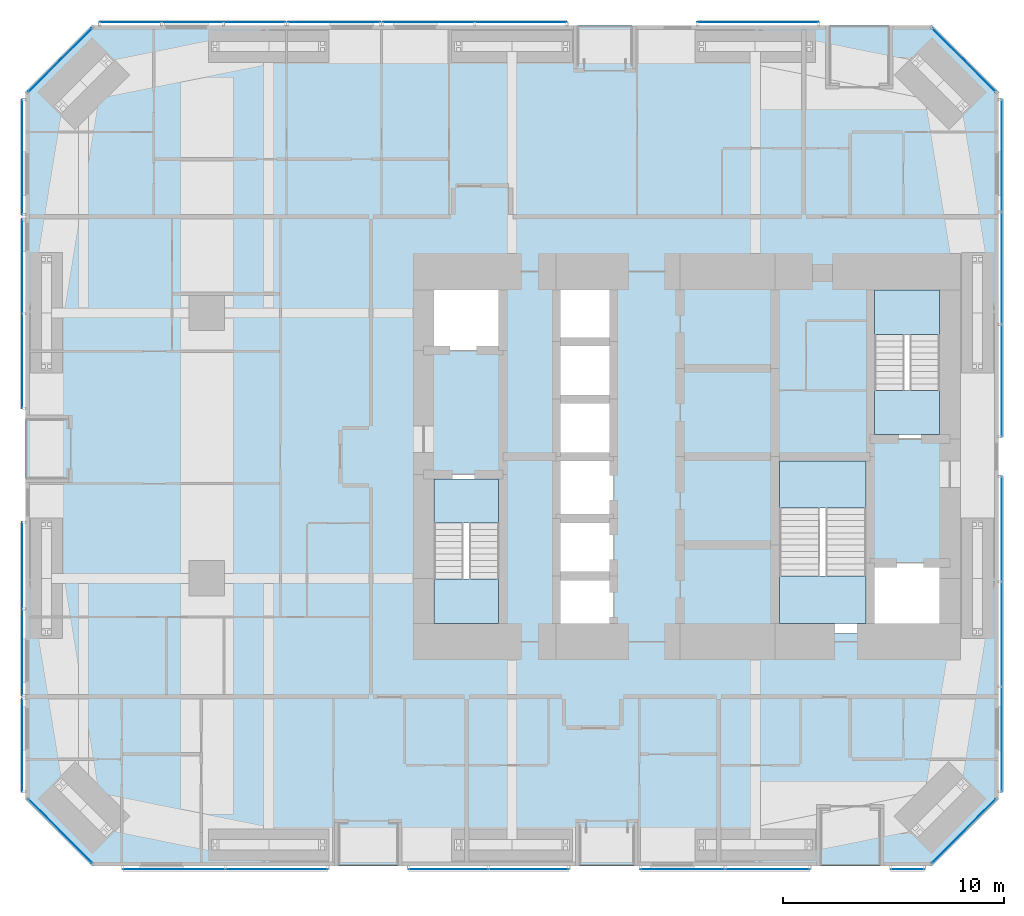
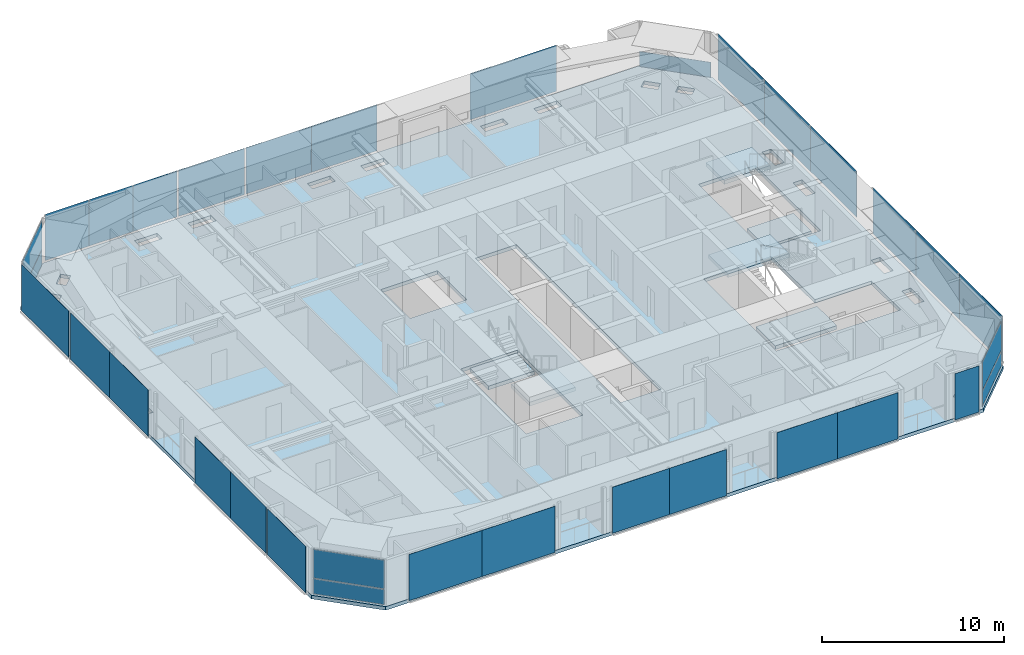
# One storey, part 15 of 23: 33 plates, 7 slabs, 21 elements without a shape of their own.
"""IFC4 building model written with IfcOpenShell, lengths in metres."""

from ifc_helpers import new_model, si_unit, direction, frame, origin, origin_2d, place, context, subcontext, project, spatial, polyline, rectangle, outline, extrude, material, layer, layer_set, type_object, element, aggregate, save


model = new_model("IFC4")

# Units and contexts
model_context = context("Model", 3, precision=1e-05, world=origin(), true_north=direction((0.0, 1.0)))
body_context = subcontext(model_context, "Body", "Model", "MODEL_VIEW")
ifc_project = project(units=[si_unit("LENGTHUNIT", "METRE"), si_unit("AREAUNIT", "SQUARE_METRE"), si_unit("VOLUMEUNIT", "CUBIC_METRE"), si_unit("PLANEANGLEUNIT", "RADIAN"), si_unit("MASSUNIT", "GRAM", prefix="KILO")], contexts=[model_context])

# Site, building, storey
site_placement = place(None, origin())
site = spatial("IfcSite", under=ifc_project, at=site_placement, CompositionType="ELEMENT")
building_placement = place(site_placement, origin())
building = spatial("IfcBuilding", under=site, at=building_placement, Name="Jalousie Tower", CompositionType="ELEMENT")
storey_placement = place(building_placement, frame((0.0, 0.0, 27.699951171875)))
storey = spatial("IfcBuildingStorey", under=building, at=storey_placement, Name="L06", CompositionType="ELEMENT", Elevation=27.699951171875)

# Curtain wall, plates
ifc_material_1 = material(Name="Aluminium curtain wall", Category="aluminium")
curtain_wall_type_1 = type_object("IfcCurtainWallType", Name="CORNER WINDOW WALL", PredefinedType="USERDEFINED", material=ifc_material_1)
curtain_wall_1_placement = place(storey_placement, origin())
curtain_wall_1 = element("IfcCurtainWall", 1, at=curtain_wall_1_placement, inside=storey, type_object=curtain_wall_type_1, Name="Corner Window Wall L06 2", ObjectType="CORNER WINDOW WALL", PredefinedType="USERDEFINED")
ifc_material_2 = material(Name="Laminated impact-rated spandrel glass", Category="glass")
ifc_layer_1 = layer(ifc_material_2, 0.028076171875)
ifc_layer_set_1 = layer_set([ifc_layer_1], Name="Laminated impact-rated spandrel glass")
plate_type_1 = type_object("IfcPlateType", Name="CORNER WINDOW WALL PANEL", PredefinedType="CURTAIN_PANEL", material=ifc_layer_set_1)
plate_1_placement = place(storey_placement, frame((44.4306640625, 1.5693359375, 0.06005859375), z_axis=(0.0, 0.0, 1.0), x_axis=(0.707106781187, 0.707106781187, 0.0)))
plate_1 = element("IfcPlate", 2, at=plate_1_placement, type_object=plate_type_1, Name="CW-C panel 1.1", PredefinedType="CURTAIN_PANEL", context=body_context, shape_type="SweptSolid", body=[
    extrude(rectangle(XDim=4.071533203125, YDim=0.028076171875, at=origin_2d()), origin(), (0.0, 0.0, 1.0), 1.010009765625),
])
plate_2_placement = place(storey_placement, frame((44.4306640625, 1.5693359375, 1.130126953125), z_axis=(0.0, 0.0, 1.0), x_axis=(0.707106781187, 0.707106781187, 0.0)))
plate_2 = element("IfcPlate", 3, at=plate_2_placement, type_object=plate_type_1, Name="CW-C panel 1.2", PredefinedType="CURTAIN_PANEL", context=body_context, shape_type="SweptSolid", body=[
    extrude(rectangle(XDim=4.071533203125, YDim=0.028076171875, at=origin_2d()), origin(), (0.0, 0.0, 1.0), 1.919921875),
])
aggregate(curtain_wall_1, [plate_1, plate_2])

# Curtain wall, plate
curtain_wall_2_placement = place(storey_placement, origin())
curtain_wall_2 = element("IfcCurtainWall", 4, at=curtain_wall_2_placement, inside=storey, type_object=curtain_wall_type_1, Name="Corner Window Wall L06 4", ObjectType="CORNER WINDOW WALL", PredefinedType="USERDEFINED")
plate_3_placement = place(storey_placement, frame((44.4306640625, 36.4306640625, 0.06005859375), z_axis=(0.0, 0.0, 1.0), x_axis=(-0.707106781187, 0.707106781187, 0.0)))
plate_3 = element("IfcPlate", 5, at=plate_3_placement, type_object=plate_type_1, Name="CW-C panel 1.1", PredefinedType="CURTAIN_PANEL", context=body_context, shape_type="SweptSolid", body=[
    extrude(rectangle(XDim=4.071533203125, YDim=0.028076171875, at=origin_2d()), origin(), (0.0, 0.0, 1.0), 1.010009765625),
])
aggregate(curtain_wall_2, [plate_3])

# Curtain wall, plates
curtain_wall_3_placement = place(storey_placement, origin())
curtain_wall_3 = element("IfcCurtainWall", 6, at=curtain_wall_3_placement, inside=storey, type_object=curtain_wall_type_1, Name="Corner Window Wall L06 6", ObjectType="CORNER WINDOW WALL", PredefinedType="USERDEFINED")
plate_4_placement = place(storey_placement, frame((3.5693359375, 36.4306640625, 0.06005859375), z_axis=(0.0, 0.0, 1.0), x_axis=(-0.707106781187, -0.707106781187, 0.0)))
plate_4 = element("IfcPlate", 7, at=plate_4_placement, type_object=plate_type_1, Name="CW-C panel 1.1", PredefinedType="CURTAIN_PANEL", context=body_context, shape_type="SweptSolid", body=[
    extrude(rectangle(XDim=4.071533203125, YDim=0.028076171875, at=origin_2d()), origin(), (0.0, 0.0, 1.0), 1.010009765625),
])
plate_5_placement = place(storey_placement, frame((3.5693359375, 36.4306640625, 1.130126953125), z_axis=(0.0, 0.0, 1.0), x_axis=(-0.707106781187, -0.707106781187, 0.0)))
plate_5 = element("IfcPlate", 8, at=plate_5_placement, type_object=plate_type_1, Name="CW-C panel 1.2", PredefinedType="CURTAIN_PANEL", context=body_context, shape_type="SweptSolid", body=[
    extrude(rectangle(XDim=4.071533203125, YDim=0.028076171875, at=origin_2d()), origin(), (0.0, 0.0, 1.0), 1.919921875),
])
aggregate(curtain_wall_3, [plate_4, plate_5])

curtain_wall_4_placement = place(storey_placement, origin())
curtain_wall_4 = element("IfcCurtainWall", 9, at=curtain_wall_4_placement, inside=storey, type_object=curtain_wall_type_1, Name="Corner Window Wall L06 8", ObjectType="CORNER WINDOW WALL", PredefinedType="USERDEFINED")
plate_6_placement = place(storey_placement, frame((3.5693359375, 1.5693359375, 0.06005859375), z_axis=(0.0, 0.0, 1.0), x_axis=(0.707106781187, -0.707106781187, 0.0)))
plate_6 = element("IfcPlate", 10, at=plate_6_placement, type_object=plate_type_1, Name="CW-C panel 1.1", PredefinedType="CURTAIN_PANEL", context=body_context, shape_type="SweptSolid", body=[
    extrude(rectangle(XDim=4.071533203125, YDim=0.028076171875, at=origin_2d()), origin(), (0.0, 0.0, 1.0), 1.010009765625),
])
plate_7_placement = place(storey_placement, frame((3.5693359375, 1.5693359375, 1.130126953125), z_axis=(0.0, 0.0, 1.0), x_axis=(0.707106781187, -0.707106781187, 0.0)))
plate_7 = element("IfcPlate", 11, at=plate_7_placement, type_object=plate_type_1, Name="CW-C panel 1.2", PredefinedType="CURTAIN_PANEL", context=body_context, shape_type="SweptSolid", body=[
    extrude(rectangle(XDim=4.071533203125, YDim=0.028076171875, at=origin_2d()), origin(), (0.0, 0.0, 1.0), 1.919921875),
])
aggregate(curtain_wall_4, [plate_6, plate_7])

# Slab
ifc_material_3 = material(Name="Concrete f'c 40 MPa", Category="concrete")
ifc_layer_2 = layer(ifc_material_3, 0.239990234375)
ifc_layer_set_2 = layer_set([ifc_layer_2], Name="Concrete f'c 40 MPa")
slab_type_1 = type_object("IfcSlabType", Name="FLOOR SLAB 240", PredefinedType="FLOOR", material=ifc_layer_set_2)
slab_1_placement = place(storey_placement, frame((0.0, 0.0, -0.239990234375)))
element("IfcSlab", 12, at=slab_1_placement, inside=storey, type_object=slab_type_1, Name="L06 floor slab", PredefinedType="FLOOR", context=body_context, shape_type="SweptSolid", body=[
    extrude(outline(polyline([(5.0, 0.0), (43.0, 0.0), (46.0, 3.0), (46.0, 35.0), (43.0, 38.0), (5.0, 38.0), (2.0, 35.0), (2.0, 3.0), (5.0, 0.0)]), holes=[polyline([(24.974609375, 0.663818359375), (24.974609375, 1.236083984375), (26.3642578125, 1.236083984375), (26.425048828125, 1.236083984375), (26.425048828125, 0.663818359375), (26.3642578125, 0.663818359375), (24.974609375, 0.663818359375)]), polyline([(23.025390625, 1.236083984375), (23.025390625, 0.663818359375), (21.6357421875, 0.663818359375), (21.574951171875, 0.663818359375), (21.574951171875, 1.236083984375), (21.6357421875, 1.236083984375), (23.025390625, 1.236083984375)]), polyline([(10.574951171875, 1.236083984375), (10.6357421875, 1.236083984375), (12.025390625, 1.236083984375), (12.025390625, 0.663818359375), (10.6357421875, 0.663818359375), (10.574951171875, 0.663818359375), (10.574951171875, 1.236083984375)]), polyline([(13.974609375, 1.236083984375), (15.3642578125, 1.236083984375), (15.425048828125, 1.236083984375), (15.425048828125, 0.663818359375), (15.3642578125, 0.663818359375), (13.974609375, 0.663818359375), (13.974609375, 1.236083984375)]), polyline([(5.859130859375, 1.808349609375), (5.454345703125, 1.40380859375), (5.31298828125, 1.545166015625), (5.31298828125, 1.545166015625), (5.220947265625, 1.636962890625), (5.220947265625, 1.636962890625), (4.78564453125, 2.072509765625), (5.1904296875, 2.47705078125), (5.859130859375, 1.808349609375)]), polyline([(3.40380859375, 3.454345703125), (3.808349609375, 3.859130859375), (4.47705078125, 3.1904296875), (4.072509765625, 2.78564453125), (3.636962890625, 3.220947265625), (3.636962890625, 3.220947265625), (3.545166015625, 3.31298828125), (3.545166015625, 3.31298828125), (3.40380859375, 3.454345703125)]), polyline([(3.236083984375, 10.574951171875), (2.663818359375, 10.574951171875), (2.663818359375, 10.6357421875), (2.663818359375, 12.025390625), (3.236083984375, 12.025390625), (3.236083984375, 10.6357421875), (3.236083984375, 10.574951171875)]), polyline([(26.0, 10.5), (26.0, 26.5), (28.60009765625, 26.5), (28.60009765625, 10.5), (26.0, 10.5)]), polyline([(20.0, 10.5), (23.60009765625, 10.5), (23.60009765625, 17.699951171875), (20.0, 17.699951171875), (20.0, 10.5)]), polyline([(3.236083984375, 15.3642578125), (3.236083984375, 13.974609375), (2.663818359375, 13.974609375), (2.663818359375, 15.3642578125), (2.663818359375, 15.425048828125), (3.236083984375, 15.425048828125), (3.236083984375, 15.3642578125)]), polyline([(2.663818359375, 24.025390625), (3.236083984375, 24.025390625), (3.236083984375, 22.6357421875), (3.236083984375, 22.574951171875), (2.663818359375, 22.574951171875), (2.663818359375, 22.6357421875), (2.663818359375, 24.025390625)]), polyline([(20.0, 23.300048828125), (23.60009765625, 23.300048828125), (23.60009765625, 26.5), (20.0, 26.5), (20.0, 23.300048828125)]), polyline([(3.236083984375, 25.974609375), (2.663818359375, 25.974609375), (2.663818359375, 27.3642578125), (2.663818359375, 27.425048828125), (3.236083984375, 27.425048828125), (3.236083984375, 27.3642578125), (3.236083984375, 25.974609375)]), polyline([(3.636962890625, 34.779052734375), (3.636962890625, 34.779052734375), (4.072509765625, 35.21435546875), (4.47705078125, 34.8095703125), (3.808349609375, 34.140869140625), (3.40380859375, 34.545654296875), (3.545166015625, 34.68701171875), (3.545166015625, 34.68701171875), (3.636962890625, 34.779052734375)]), polyline([(5.454345703125, 36.59619140625), (5.859130859375, 36.191650390625), (5.1904296875, 35.52294921875), (4.78564453125, 35.927490234375), (5.220947265625, 36.363037109375), (5.220947265625, 36.363037109375), (5.31298828125, 36.454833984375), (5.31298828125, 36.454833984375), (5.454345703125, 36.59619140625)]), polyline([(15.425048828125, 37.336181640625), (15.425048828125, 36.763916015625), (15.3642578125, 36.763916015625), (13.974609375, 36.763916015625), (13.974609375, 37.336181640625), (15.3642578125, 37.336181640625), (15.425048828125, 37.336181640625)]), polyline([(23.025390625, 36.763916015625), (21.6357421875, 36.763916015625), (21.574951171875, 36.763916015625), (21.574951171875, 37.336181640625), (21.6357421875, 37.336181640625), (23.025390625, 37.336181640625), (23.025390625, 36.763916015625)]), polyline([(10.574951171875, 36.763916015625), (10.574951171875, 37.336181640625), (10.6357421875, 37.336181640625), (12.025390625, 37.336181640625), (12.025390625, 36.763916015625), (10.6357421875, 36.763916015625), (10.574951171875, 36.763916015625)]), polyline([(24.974609375, 37.336181640625), (26.3642578125, 37.336181640625), (26.425048828125, 37.336181640625), (26.425048828125, 36.763916015625), (26.3642578125, 36.763916015625), (24.974609375, 36.763916015625), (24.974609375, 37.336181640625)]), polyline([(32.6357421875, 0.663818359375), (32.574951171875, 0.663818359375), (32.574951171875, 1.236083984375), (32.6357421875, 1.236083984375), (34.025390625, 1.236083984375), (34.025390625, 0.663818359375), (32.6357421875, 0.663818359375)]), polyline([(37.3642578125, 1.236083984375), (37.425048828125, 1.236083984375), (37.425048828125, 0.663818359375), (37.3642578125, 0.663818359375), (35.974609375, 0.663818359375), (35.974609375, 1.236083984375), (37.3642578125, 1.236083984375)]), polyline([(42.140869140625, 1.808349609375), (42.8095703125, 2.47705078125), (43.21435546875, 2.072509765625), (42.779052734375, 1.636962890625), (42.779052734375, 1.636962890625), (42.68701171875, 1.545166015625), (42.68701171875, 1.545166015625), (42.545654296875, 1.40380859375), (42.140869140625, 1.808349609375)]), polyline([(44.191650390625, 3.859130859375), (44.59619140625, 3.454345703125), (44.454833984375, 3.31298828125), (44.454833984375, 3.31298828125), (44.363037109375, 3.220947265625), (44.363037109375, 3.220947265625), (43.927490234375, 2.78564453125), (43.52294921875, 3.1904296875), (44.191650390625, 3.859130859375)]), polyline([(45.336181640625, 10.574951171875), (44.763916015625, 10.574951171875), (44.763916015625, 10.6357421875), (44.763916015625, 12.025390625), (45.336181640625, 12.025390625), (45.336181640625, 10.6357421875), (45.336181640625, 10.574951171875)]), polyline([(35.89990234375, 10.5), (35.89990234375, 18.5), (40.199951171875, 18.5), (40.199951171875, 13.699951171875), (43.800048828125, 13.699951171875), (43.800048828125, 10.5), (35.89990234375, 10.5)]), polyline([(45.336181640625, 13.974609375), (44.763916015625, 13.974609375), (44.763916015625, 15.3642578125), (44.763916015625, 15.425048828125), (45.336181640625, 15.425048828125), (45.336181640625, 15.3642578125), (45.336181640625, 13.974609375)]), polyline([(40.199951171875, 19.300048828125), (43.800048828125, 19.300048828125), (43.800048828125, 26.5), (40.199951171875, 26.5), (40.199951171875, 19.300048828125)]), polyline([(45.336181640625, 22.574951171875), (44.763916015625, 22.574951171875), (44.763916015625, 22.6357421875), (44.763916015625, 24.025390625), (45.336181640625, 24.025390625), (45.336181640625, 22.6357421875), (45.336181640625, 22.574951171875)]), polyline([(45.336181640625, 27.3642578125), (45.336181640625, 25.974609375), (44.763916015625, 25.974609375), (44.763916015625, 27.3642578125), (44.763916015625, 27.425048828125), (45.336181640625, 27.425048828125), (45.336181640625, 27.3642578125)]), polyline([(44.59619140625, 34.545654296875), (44.191650390625, 34.140869140625), (43.52294921875, 34.8095703125), (43.927490234375, 35.21435546875), (44.363037109375, 34.779052734375), (44.363037109375, 34.779052734375), (44.454833984375, 34.68701171875), (44.454833984375, 34.68701171875), (44.59619140625, 34.545654296875)]), polyline([(42.779052734375, 36.363037109375), (42.779052734375, 36.363037109375), (43.21435546875, 35.927490234375), (42.8095703125, 35.52294921875), (42.140869140625, 36.191650390625), (42.545654296875, 36.59619140625), (42.68701171875, 36.454833984375), (42.68701171875, 36.454833984375), (42.779052734375, 36.363037109375)]), polyline([(37.3642578125, 37.336181640625), (37.425048828125, 37.336181640625), (37.425048828125, 36.763916015625), (37.3642578125, 36.763916015625), (35.974609375, 36.763916015625), (35.974609375, 37.336181640625), (37.3642578125, 37.336181640625)]), polyline([(34.025390625, 37.336181640625), (34.025390625, 36.763916015625), (32.6357421875, 36.763916015625), (32.574951171875, 36.763916015625), (32.574951171875, 37.336181640625), (32.6357421875, 37.336181640625), (34.025390625, 37.336181640625)])]), origin(), (0.0, 0.0, 1.0), 0.239990234375),
])

# Curtain wall, plates
ifc_material_4 = material(Name="Perforated aluminium sheet", Category="aluminium")
curtain_wall_type_2 = type_object("IfcCurtainWallType", Name="SOLAR SCREEN SS-1", PredefinedType="USERDEFINED", material=ifc_material_4)
curtain_wall_5_placement = place(storey_placement, origin())
curtain_wall_5 = element("IfcCurtainWall", 13, at=curtain_wall_5_placement, inside=storey, type_object=curtain_wall_type_2, Name="Solar screen L06", ObjectType="SOLAR SCREEN SS-1", PredefinedType="USERDEFINED")
ifc_material_5 = material(Name="Perforated aluminium sheet", Category="aluminium")
ifc_layer_3 = layer(ifc_material_5, 0.006103515625)
ifc_layer_set_3 = layer_set([ifc_layer_3], Name="Perforated aluminium sheet")
plate_type_2 = type_object("IfcPlateType", Name="SOLAR SCREEN SS-1 PANEL", PredefinedType="CURTAIN_PANEL", material=ifc_layer_set_3)
plate_8_placement = place(storey_placement, frame((8.71875, -0.150390625, 0.0), z_axis=(0.0, 0.0, 1.0), x_axis=(1.0, 0.0, 0.0)))
plate_8 = element("IfcPlate", 14, at=plate_8_placement, type_object=plate_type_2, Name="SS1 perforated panel 1", PredefinedType="CURTAIN_PANEL", context=body_context, shape_type="SweptSolid", body=[
    extrude(rectangle(XDim=4.637451171875, YDim=0.006103515625, at=origin_2d()), origin(), (0.0, 0.0, 1.0), 3.110107421875),
])
plate_9_placement = place(storey_placement, frame((13.356201171875, -0.150390625, 0.0), z_axis=(0.0, 0.0, 1.0), x_axis=(1.0, 0.0, 0.0)))
plate_9 = element("IfcPlate", 15, at=plate_9_placement, type_object=plate_type_2, Name="SS1 perforated panel 2", PredefinedType="CURTAIN_PANEL", context=body_context, shape_type="SweptSolid", body=[
    extrude(rectangle(XDim=4.637451171875, YDim=0.006103515625, at=origin_2d()), origin(), (0.0, 0.0, 1.0), 3.110107421875),
])
aggregate(curtain_wall_5, [plate_8, plate_9])

curtain_wall_6_placement = place(storey_placement, origin())
curtain_wall_6 = element("IfcCurtainWall", 16, at=curtain_wall_6_placement, inside=storey, type_object=curtain_wall_type_2, Name="Solar screen L06", ObjectType="SOLAR SCREEN SS-1", PredefinedType="USERDEFINED")
plate_10_placement = place(storey_placement, frame((21.137451171875, -0.150390625, 0.0), z_axis=(0.0, 0.0, 1.0), x_axis=(1.0, 0.0, 0.0)))
plate_10 = element("IfcPlate", 17, at=plate_10_placement, type_object=plate_type_2, Name="SS1 perforated panel 1", PredefinedType="CURTAIN_PANEL", context=body_context, shape_type="SweptSolid", body=[
    extrude(rectangle(XDim=3.625, YDim=0.006103515625, at=origin_2d()), origin(), (0.0, 0.0, 1.0), 3.110107421875),
])
plate_11_placement = place(storey_placement, frame((24.762451171875, -0.150390625, 0.0), z_axis=(0.0, 0.0, 1.0), x_axis=(1.0, 0.0, 0.0)))
plate_11 = element("IfcPlate", 18, at=plate_11_placement, type_object=plate_type_2, Name="SS1 perforated panel 2", PredefinedType="CURTAIN_PANEL", context=body_context, shape_type="SweptSolid", body=[
    extrude(rectangle(XDim=3.625, YDim=0.006103515625, at=origin_2d()), origin(), (0.0, 0.0, 1.0), 3.110107421875),
])
aggregate(curtain_wall_6, [plate_10, plate_11])

curtain_wall_7_placement = place(storey_placement, origin())
curtain_wall_7 = element("IfcCurtainWall", 19, at=curtain_wall_7_placement, inside=storey, type_object=curtain_wall_type_2, Name="Solar screen L06", ObjectType="SOLAR SCREEN SS-1", PredefinedType="USERDEFINED")
plate_12_placement = place(storey_placement, frame((31.71875, -0.150390625, 0.0), z_axis=(0.0, 0.0, 1.0), x_axis=(1.0, 0.0, 0.0)))
plate_12 = element("IfcPlate", 20, at=plate_12_placement, type_object=plate_type_2, Name="SS1 perforated panel 1", PredefinedType="CURTAIN_PANEL", context=body_context, shape_type="SweptSolid", body=[
    extrude(rectangle(XDim=3.83740234375, YDim=0.006103515625, at=origin_2d()), origin(), (0.0, 0.0, 1.0), 3.110107421875),
])
plate_13_placement = place(storey_placement, frame((35.55615234375, -0.150390625, 0.0), z_axis=(0.0, 0.0, 1.0), x_axis=(1.0, 0.0, 0.0)))
plate_13 = element("IfcPlate", 21, at=plate_13_placement, type_object=plate_type_2, Name="SS1 perforated panel 2", PredefinedType="CURTAIN_PANEL", context=body_context, shape_type="SweptSolid", body=[
    extrude(rectangle(XDim=3.83740234375, YDim=0.006103515625, at=origin_2d()), origin(), (0.0, 0.0, 1.0), 3.110107421875),
])
aggregate(curtain_wall_7, [plate_12, plate_13])

# Curtain wall, plate
curtain_wall_8_placement = place(storey_placement, origin())
curtain_wall_8 = element("IfcCurtainWall", 22, at=curtain_wall_8_placement, inside=storey, type_object=curtain_wall_type_2, Name="Solar screen L06", ObjectType="SOLAR SCREEN SS-1", PredefinedType="USERDEFINED")
plate_14_placement = place(storey_placement, frame((41.88671875, -0.150390625, 0.0), z_axis=(0.0, 0.0, 1.0), x_axis=(1.0, 0.0, 0.0)))
plate_14 = element("IfcPlate", 23, at=plate_14_placement, type_object=plate_type_2, Name="SS1 perforated panel 1", PredefinedType="CURTAIN_PANEL", context=body_context, shape_type="SweptSolid", body=[
    extrude(rectangle(XDim=1.523681640625, YDim=0.006103515625, at=origin_2d()), origin(), (0.0, 0.0, 1.0), 3.110107421875),
])
aggregate(curtain_wall_8, [plate_14])

# Curtain wall, plates
curtain_wall_9_placement = place(storey_placement, origin())
curtain_wall_9 = element("IfcCurtainWall", 24, at=curtain_wall_9_placement, inside=storey, type_object=curtain_wall_type_2, Name="Solar screen L06", ObjectType="SOLAR SCREEN SS-1", PredefinedType="USERDEFINED")
plate_15_placement = place(storey_placement, frame((46.150390625, 5.72607421875, 0.0), z_axis=(0.0, 0.0, 1.0), x_axis=(0.0, 1.0, 0.0)))
plate_15 = element("IfcPlate", 25, at=plate_15_placement, type_object=plate_type_2, Name="SS1 perforated panel 1", PredefinedType="CURTAIN_PANEL", context=body_context, shape_type="SweptSolid", body=[
    extrude(rectangle(XDim=4.74951171875, YDim=0.006103515625, at=origin_2d()), origin(), (0.0, 0.0, 1.0), 3.110107421875),
])
plate_16_placement = place(storey_placement, frame((46.150390625, 10.4755859375, 0.0), z_axis=(0.0, 0.0, 1.0), x_axis=(0.0, 1.0, 0.0)))
plate_16 = element("IfcPlate", 26, at=plate_16_placement, type_object=plate_type_2, Name="SS1 perforated panel 2", PredefinedType="CURTAIN_PANEL", context=body_context, shape_type="SweptSolid", body=[
    extrude(rectangle(XDim=4.74951171875, YDim=0.006103515625, at=origin_2d()), origin(), (0.0, 0.0, 1.0), 3.110107421875),
])
plate_17_placement = place(storey_placement, frame((46.150390625, 15.22509765625, 0.0), z_axis=(0.0, 0.0, 1.0), x_axis=(0.0, 1.0, 0.0)))
plate_17 = element("IfcPlate", 27, at=plate_17_placement, type_object=plate_type_2, Name="SS1 perforated panel 3", PredefinedType="CURTAIN_PANEL", context=body_context, shape_type="SweptSolid", body=[
    extrude(rectangle(XDim=4.74951171875, YDim=0.006103515625, at=origin_2d()), origin(), (0.0, 0.0, 1.0), 3.110107421875),
])
aggregate(curtain_wall_9, [plate_15, plate_16, plate_17])

curtain_wall_10_placement = place(storey_placement, origin())
curtain_wall_10 = element("IfcCurtainWall", 28, at=curtain_wall_10_placement, inside=storey, type_object=curtain_wall_type_2, Name="Solar screen L06", ObjectType="SOLAR SCREEN SS-1", PredefinedType="USERDEFINED")
plate_18_placement = place(storey_placement, frame((46.150390625, 21.94140625, 0.0), z_axis=(0.0, 0.0, 1.0), x_axis=(0.0, 1.0, 0.0)))
plate_18 = element("IfcPlate", 29, at=plate_18_placement, type_object=plate_type_2, Name="SS1 perforated panel 1", PredefinedType="CURTAIN_PANEL", context=body_context, shape_type="SweptSolid", body=[
    extrude(rectangle(XDim=5.0830078125, YDim=0.006103515625, at=origin_2d()), origin(), (0.0, 0.0, 1.0), 3.110107421875),
])
plate_19_placement = place(storey_placement, frame((46.150390625, 27.0244140625, 0.0), z_axis=(0.0, 0.0, 1.0), x_axis=(0.0, 1.0, 0.0)))
plate_19 = element("IfcPlate", 30, at=plate_19_placement, type_object=plate_type_2, Name="SS1 perforated panel 2", PredefinedType="CURTAIN_PANEL", context=body_context, shape_type="SweptSolid", body=[
    extrude(rectangle(XDim=5.0830078125, YDim=0.006103515625, at=origin_2d()), origin(), (0.0, 0.0, 1.0), 3.110107421875),
])
plate_20_placement = place(storey_placement, frame((46.150390625, 32.107177734375, 0.0), z_axis=(0.0, 0.0, 1.0), x_axis=(0.0, 1.0, 0.0)))
plate_20 = element("IfcPlate", 31, at=plate_20_placement, type_object=plate_type_2, Name="SS1 perforated panel 3", PredefinedType="CURTAIN_PANEL", context=body_context, shape_type="SweptSolid", body=[
    extrude(rectangle(XDim=5.0830078125, YDim=0.006103515625, at=origin_2d()), origin(), (0.0, 0.0, 1.0), 3.110107421875),
])
aggregate(curtain_wall_10, [plate_18, plate_19, plate_20])

# Curtain wall, plate
curtain_wall_11_placement = place(storey_placement, origin())
curtain_wall_11 = element("IfcCurtainWall", 32, at=curtain_wall_11_placement, inside=storey, type_object=curtain_wall_type_2, Name="Solar screen L06", ObjectType="SOLAR SCREEN SS-1", PredefinedType="USERDEFINED")
plate_21_placement = place(storey_placement, frame((35.127685546875, 38.150390625, 0.0), z_axis=(0.0, 0.0, 1.0), x_axis=(-1.0, 0.0, 0.0)))
plate_21 = element("IfcPlate", 33, at=plate_21_placement, type_object=plate_type_2, Name="SS1 perforated panel 1", PredefinedType="CURTAIN_PANEL", context=body_context, shape_type="SweptSolid", body=[
    extrude(rectangle(XDim=5.49169921875, YDim=0.006103515625, at=origin_2d()), origin(), (0.0, 0.0, 1.0), 3.110107421875),
])
aggregate(curtain_wall_11, [plate_21])

# Curtain wall, plates
curtain_wall_12_placement = place(storey_placement, origin())
curtain_wall_12 = element("IfcCurtainWall", 34, at=curtain_wall_12_placement, inside=storey, type_object=curtain_wall_type_2, Name="Solar screen L06", ObjectType="SOLAR SCREEN SS-1", PredefinedType="USERDEFINED")
plate_22_placement = place(storey_placement, frame((24.39990234375, 38.150390625, 0.0), z_axis=(0.0, 0.0, 1.0), x_axis=(-1.0, 0.0, 0.0)))
plate_22 = element("IfcPlate", 35, at=plate_22_placement, type_object=plate_type_2, Name="SS1 perforated panel 1", PredefinedType="CURTAIN_PANEL", context=body_context, shape_type="SweptSolid", body=[
    extrude(rectangle(XDim=4.16650390625, YDim=0.006103515625, at=origin_2d()), origin(), (0.0, 0.0, 1.0), 3.110107421875),
])
plate_23_placement = place(storey_placement, frame((20.2333984375, 38.150390625, 0.0), z_axis=(0.0, 0.0, 1.0), x_axis=(-1.0, 0.0, 0.0)))
plate_23 = element("IfcPlate", 36, at=plate_23_placement, type_object=plate_type_2, Name="SS1 perforated panel 2", PredefinedType="CURTAIN_PANEL", context=body_context, shape_type="SweptSolid", body=[
    extrude(rectangle(XDim=4.16650390625, YDim=0.006103515625, at=origin_2d()), origin(), (0.0, 0.0, 1.0), 3.110107421875),
])
aggregate(curtain_wall_12, [plate_22, plate_23])

# Curtain wall, plate
curtain_wall_13_placement = place(storey_placement, origin())
curtain_wall_13 = element("IfcCurtainWall", 37, at=curtain_wall_13_placement, inside=storey, type_object=curtain_wall_type_2, Name="Solar screen L06", ObjectType="SOLAR SCREEN SS-1", PredefinedType="USERDEFINED")
plate_24_placement = place(storey_placement, frame((15.949951171875, 38.150390625, 0.0), z_axis=(0.0, 0.0, 1.0), x_axis=(-1.0, 0.0, 0.0)))
plate_24 = element("IfcPlate", 38, at=plate_24_placement, type_object=plate_type_2, Name="SS1 perforated panel 1", PredefinedType="CURTAIN_PANEL", context=body_context, shape_type="SweptSolid", body=[
    extrude(rectangle(XDim=4.199951171875, YDim=0.006103515625, at=origin_2d()), origin(), (0.0, 0.0, 1.0), 3.110107421875),
])
aggregate(curtain_wall_13, [plate_24])

# Curtain wall, plates
curtain_wall_14_placement = place(storey_placement, origin())
curtain_wall_14 = element("IfcCurtainWall", 39, at=curtain_wall_14_placement, inside=storey, type_object=curtain_wall_type_2, Name="Solar screen L06", ObjectType="SOLAR SCREEN SS-1", PredefinedType="USERDEFINED")
plate_25_placement = place(storey_placement, frame((12.35009765625, 38.150390625, 0.0), z_axis=(0.0, 0.0, 1.0), x_axis=(-1.0, 0.0, 0.0)))
plate_25 = element("IfcPlate", 40, at=plate_25_placement, type_object=plate_type_2, Name="SS1 perforated panel 1", PredefinedType="CURTAIN_PANEL", context=body_context, shape_type="SweptSolid", body=[
    extrude(rectangle(XDim=2.799560546875, YDim=0.006103515625, at=origin_2d()), origin(), (0.0, 0.0, 1.0), 3.110107421875),
])
plate_26_placement = place(storey_placement, frame((9.55078125, 38.150390625, 0.0), z_axis=(0.0, 0.0, 1.0), x_axis=(-1.0, 0.0, 0.0)))
plate_26 = element("IfcPlate", 41, at=plate_26_placement, type_object=plate_type_2, Name="SS1 perforated panel 2", PredefinedType="CURTAIN_PANEL", context=body_context, shape_type="SweptSolid", body=[
    extrude(rectangle(XDim=2.799560546875, YDim=0.006103515625, at=origin_2d()), origin(), (0.0, 0.0, 1.0), 3.110107421875),
])
plate_27_placement = place(storey_placement, frame((6.751220703125, 38.150390625, 0.0), z_axis=(0.0, 0.0, 1.0), x_axis=(-1.0, 0.0, 0.0)))
plate_27 = element("IfcPlate", 42, at=plate_27_placement, type_object=plate_type_2, Name="SS1 perforated panel 3", PredefinedType="CURTAIN_PANEL", context=body_context, shape_type="SweptSolid", body=[
    extrude(rectangle(XDim=2.799560546875, YDim=0.006103515625, at=origin_2d()), origin(), (0.0, 0.0, 1.0), 3.110107421875),
])
aggregate(curtain_wall_14, [plate_25, plate_26, plate_27])

# Curtain wall, plate
curtain_wall_15_placement = place(storey_placement, origin())
curtain_wall_15 = element("IfcCurtainWall", 43, at=curtain_wall_15_placement, inside=storey, type_object=curtain_wall_type_2, Name="Solar screen L06", ObjectType="SOLAR SCREEN SS-1", PredefinedType="USERDEFINED")
plate_28_placement = place(storey_placement, frame((1.849609375, 32.04931640625, 0.0), z_axis=(0.0, 0.0, 1.0), x_axis=(0.0, -1.0, 0.0)))
plate_28 = element("IfcPlate", 44, at=plate_28_placement, type_object=plate_type_2, Name="SS1 perforated panel 1", PredefinedType="CURTAIN_PANEL", context=body_context, shape_type="SweptSolid", body=[
    extrude(rectangle(XDim=5.19873046875, YDim=0.006103515625, at=origin_2d()), origin(), (0.0, 0.0, 1.0), 3.110107421875),
])
aggregate(curtain_wall_15, [plate_28])

# Curtain wall, plates
curtain_wall_16_placement = place(storey_placement, origin())
curtain_wall_16 = element("IfcCurtainWall", 45, at=curtain_wall_16_placement, inside=storey, type_object=curtain_wall_type_2, Name="Solar screen L06", ObjectType="SOLAR SCREEN SS-1", PredefinedType="USERDEFINED")
plate_29_placement = place(storey_placement, frame((1.849609375, 27.1103515625, 0.0), z_axis=(0.0, 0.0, 1.0), x_axis=(0.0, -1.0, 0.0)))
plate_29 = element("IfcPlate", 46, at=plate_29_placement, type_object=plate_type_2, Name="SS1 perforated panel 1", PredefinedType="CURTAIN_PANEL", context=body_context, shape_type="SweptSolid", body=[
    extrude(rectangle(XDim=4.279052734375, YDim=0.006103515625, at=origin_2d()), origin(), (0.0, 0.0, 1.0), 3.110107421875),
])
plate_30_placement = place(storey_placement, frame((1.849609375, 22.831298828125, 0.0), z_axis=(0.0, 0.0, 1.0), x_axis=(0.0, -1.0, 0.0)))
plate_30 = element("IfcPlate", 47, at=plate_30_placement, type_object=plate_type_2, Name="SS1 perforated panel 2", PredefinedType="CURTAIN_PANEL", context=body_context, shape_type="SweptSolid", body=[
    extrude(rectangle(XDim=4.279052734375, YDim=0.006103515625, at=origin_2d()), origin(), (0.0, 0.0, 1.0), 3.110107421875),
])
aggregate(curtain_wall_16, [plate_29, plate_30])

curtain_wall_17_placement = place(storey_placement, origin())
curtain_wall_17 = element("IfcCurtainWall", 48, at=curtain_wall_17_placement, inside=storey, type_object=curtain_wall_type_2, Name="Solar screen L06", ObjectType="SOLAR SCREEN SS-1", PredefinedType="USERDEFINED")
plate_31_placement = place(storey_placement, frame((1.849609375, 13.574951171875, 0.0), z_axis=(0.0, 0.0, 1.0), x_axis=(0.0, -1.0, 0.0)))
plate_31 = element("IfcPlate", 49, at=plate_31_placement, type_object=plate_type_2, Name="SS1 perforated panel 1", PredefinedType="CURTAIN_PANEL", context=body_context, shape_type="SweptSolid", body=[
    extrude(rectangle(XDim=3.91650390625, YDim=0.006103515625, at=origin_2d()), origin(), (0.0, 0.0, 1.0), 3.110107421875),
])
plate_32_placement = place(storey_placement, frame((1.849609375, 9.658203125, 0.0), z_axis=(0.0, 0.0, 1.0), x_axis=(0.0, -1.0, 0.0)))
plate_32 = element("IfcPlate", 50, at=plate_32_placement, type_object=plate_type_2, Name="SS1 perforated panel 2", PredefinedType="CURTAIN_PANEL", context=body_context, shape_type="SweptSolid", body=[
    extrude(rectangle(XDim=3.91650390625, YDim=0.006103515625, at=origin_2d()), origin(), (0.0, 0.0, 1.0), 3.110107421875),
])
aggregate(curtain_wall_17, [plate_31, plate_32])

# Curtain wall, plate
curtain_wall_18_placement = place(storey_placement, origin())
curtain_wall_18 = element("IfcCurtainWall", 51, at=curtain_wall_18_placement, inside=storey, type_object=curtain_wall_type_2, Name="Solar screen L06", ObjectType="SOLAR SCREEN SS-1", PredefinedType="USERDEFINED")
plate_33_placement = place(storey_placement, frame((1.849609375, 5.45068359375, 0.0), z_axis=(0.0, 0.0, 1.0), x_axis=(0.0, -1.0, 0.0)))
plate_33 = element("IfcPlate", 52, at=plate_33_placement, type_object=plate_type_2, Name="SS1 perforated panel 1", PredefinedType="CURTAIN_PANEL", context=body_context, shape_type="SweptSolid", body=[
    extrude(rectangle(XDim=4.19873046875, YDim=0.006103515625, at=origin_2d()), origin(), (0.0, 0.0, 1.0), 3.110107421875),
])
aggregate(curtain_wall_18, [plate_33])

# Stair, slabs
ifc_material_6 = material(Name="Concrete f'c 40 MPa", Category="concrete")
stair_type = type_object("IfcStairType", Name="EXIT STAIR", PredefinedType="HALF_TURN_STAIR", material=ifc_material_6)
stair_1_placement = place(storey_placement, origin())
stair_1 = element("IfcStair", 53, at=stair_1_placement, inside=storey, type_object=stair_type, Name="Exit stair A L06", PredefinedType="HALF_TURN_STAIR")
ifc_material_7 = material(Name="Concrete f'c 40 MPa", Category="concrete")
ifc_layer_4 = layer(ifc_material_7, 0.25)
ifc_layer_set_4 = layer_set([ifc_layer_4], Name="Concrete f'c 40 MPa")
slab_type_2 = type_object("IfcSlabType", Name="STAIR LANDING 250", PredefinedType="LANDING", material=ifc_layer_set_4)
slab_2_placement = place(storey_placement, frame((0.0, 0.0, -0.25)))
slab_2 = element("IfcSlab", 54, at=slab_2_placement, type_object=slab_type_2, Name="ST-A landing 1", PredefinedType="LANDING", context=body_context, shape_type="SweptSolid", body=[
    extrude(outline(polyline([(20.47509765625, 15.49755859375), (23.39990234375, 15.49755859375), (23.39990234375, 17.5), (20.47509765625, 17.5), (20.47509765625, 15.49755859375)])), origin(), (0.0, 0.0, 1.0), 0.25),
])
slab_3_placement = place(storey_placement, frame((0.0, 0.0, 1.425048828125)))
slab_3 = element("IfcSlab", 55, at=slab_3_placement, type_object=slab_type_2, Name="ST-A landing 2", PredefinedType="LANDING", context=body_context, shape_type="SweptSolid", body=[
    extrude(outline(polyline([(20.47509765625, 10.949951171875), (23.39990234375, 10.949951171875), (23.39990234375, 12.9775390625), (20.47509765625, 12.9775390625), (20.47509765625, 10.949951171875)])), origin(), (0.0, 0.0, 1.0), 0.25),
])
aggregate(stair_1, [slab_2, slab_3])

stair_2_placement = place(storey_placement, origin())
stair_2 = element("IfcStair", 56, at=stair_2_placement, inside=storey, type_object=stair_type, Name="Exit stair B L06", PredefinedType="HALF_TURN_STAIR")
slab_4_placement = place(storey_placement, frame((0.0, 0.0, -0.25)))
slab_4 = element("IfcSlab", 57, at=slab_4_placement, type_object=slab_type_2, Name="ST-B landing 1", PredefinedType="LANDING", context=body_context, shape_type="SweptSolid", body=[
    extrude(outline(polyline([(40.39990234375, 19.5), (43.324951171875, 19.5), (43.324951171875, 21.50244140625), (40.39990234375, 21.50244140625), (40.39990234375, 19.5)])), origin(), (0.0, 0.0, 1.0), 0.25),
])
slab_5_placement = place(storey_placement, frame((0.0, 0.0, 1.425048828125)))
slab_5 = element("IfcSlab", 58, at=slab_5_placement, type_object=slab_type_2, Name="ST-B landing 2", PredefinedType="LANDING", context=body_context, shape_type="SweptSolid", body=[
    extrude(outline(polyline([(40.39990234375, 24.0224609375), (43.324951171875, 24.0224609375), (43.324951171875, 26.050048828125), (40.39990234375, 26.050048828125), (40.39990234375, 24.0224609375)])), origin(), (0.0, 0.0, 1.0), 0.25),
])
aggregate(stair_2, [slab_4, slab_5])

stair_3_placement = place(storey_placement, origin())
stair_3 = element("IfcStair", 59, at=stair_3_placement, inside=storey, type_object=stair_type, Name="Exit stair C L06", PredefinedType="HALF_TURN_STAIR")
slab_6_placement = place(storey_placement, frame((0.0, 0.0, -0.25)))
slab_6 = element("IfcSlab", 60, at=slab_6_placement, type_object=slab_type_2, Name="ST-C landing 1", PredefinedType="LANDING", context=body_context, shape_type="SweptSolid", body=[
    extrude(outline(polyline([(36.10009765625, 10.949951171875), (40.0, 10.949951171875), (40.0, 13.097412109375), (36.10009765625, 13.097412109375), (36.10009765625, 10.949951171875)])), origin(), (0.0, 0.0, 1.0), 0.25),
])
slab_7_placement = place(storey_placement, frame((0.0, 0.0, 1.425048828125)))
slab_7 = element("IfcSlab", 61, at=slab_7_placement, type_object=slab_type_2, Name="ST-C landing 2", PredefinedType="LANDING", context=body_context, shape_type="SweptSolid", body=[
    extrude(outline(polyline([(36.10009765625, 16.177490234375), (40.0, 16.177490234375), (40.0, 18.300048828125), (36.10009765625, 18.300048828125), (36.10009765625, 16.177490234375)])), origin(), (0.0, 0.0, 1.0), 0.25),
])
aggregate(stair_3, [slab_6, slab_7])

save(model, "model.ifc")
